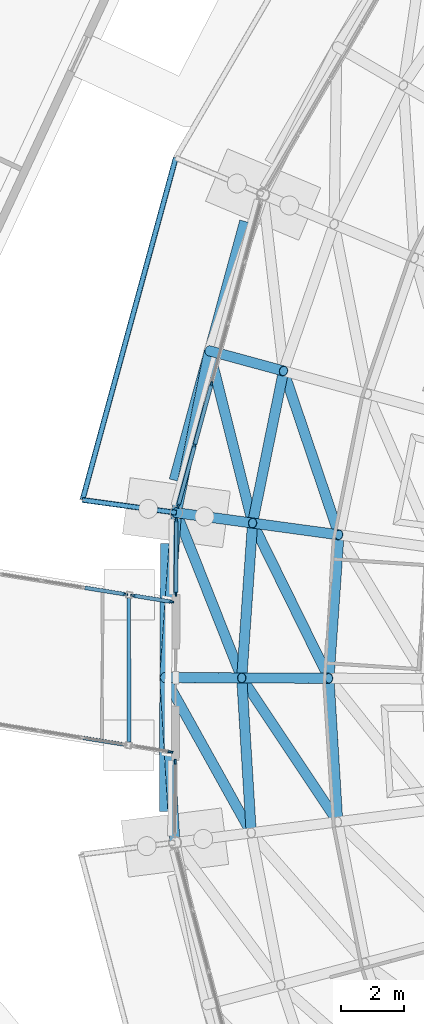
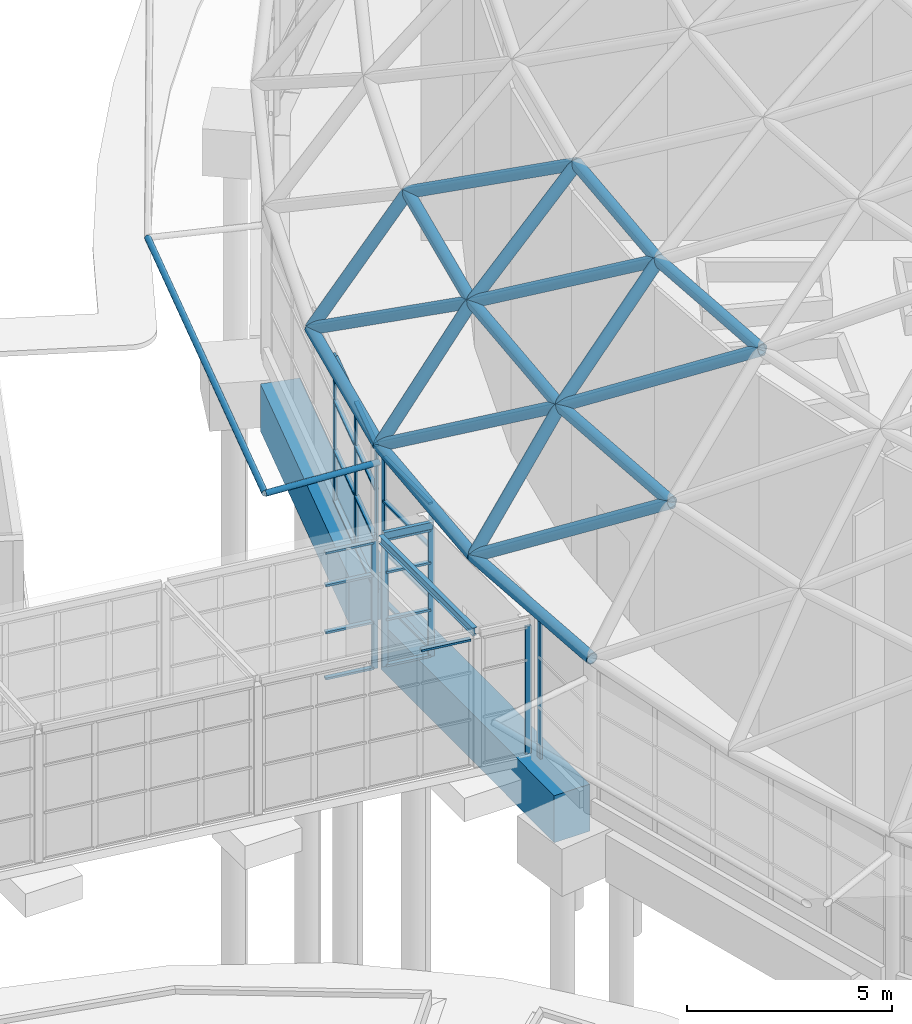
# One storey, part 82 of 226: 52 members, 4 beams, 7 elements without a shape of their own.
"""IFC4 building model written with IfcOpenShell, lengths in metres."""

import ifcopenshell
import ifcopenshell.guid

model = None  # the IFC model being written
_history = None  # IfcOwnerHistory: only IFC2X3 demands one
_inside = {}  # id of a spatial element -> (the spatial element, [elements in it])
_under = {}  # id of a project, library or spatial element -> (it, [spatial elements below it])
_declared = {}  # id of a project -> (the project, [libraries it declares])
_typed = {}  # id of a type object -> (the type object, [elements of that type])
_made_of = {}  # id of a material, layer set ... -> (it, [elements and type objects made of it])


def new_model(schema):
    """Start an empty IFC model of exactly this schema.

    Asked for "IFC4X3", IfcOpenShell would pick the latest addendum, in which some entities
    have other attributes; the version numbers below select the first issue.
    IFC2X3 requires an IfcOwnerHistory on every rooted entity: one is made here for all.
    """
    global model, _history
    if schema == "IFC4X3":
        model = ifcopenshell.file(schema_version=(4, 3, 0, 0))
    else:
        model = ifcopenshell.file(schema=schema)
    _inside.clear()
    _under.clear()
    _declared.clear()
    _typed.clear()
    _made_of.clear()
    _history = None
    if model.schema == "IFC2X3":
        org = make("IfcOrganization", Name="unknown")
        user = make(
            "IfcPersonAndOrganization",
            ThePerson=make("IfcPerson", FamilyName="unknown"),
            TheOrganization=org,
        )
        app = make(
            "IfcApplication",
            ApplicationDeveloper=org,
            Version="unknown",
            ApplicationFullName="unknown",
            ApplicationIdentifier="unknown",
        )
        _history = make(
            "IfcOwnerHistory",
            OwningUser=user,
            OwningApplication=app,
            ChangeAction="ADDED",
            CreationDate=0,
        )
    return model


def make(cls, **values):
    """One entity of the class cls with the attributes given. An attribute that is None is left unset."""
    return model.create_entity(
        cls, **{name: value for name, value in values.items() if value is not None}
    )


def rooted(cls, **values):
    """An entity with a GlobalId (a new one), such as an element, a storey or a relation."""
    return make(cls, GlobalId=ifcopenshell.guid.new(), OwnerHistory=_history, **values)


def si_unit(unit_type, name, prefix=None):
    """IfcSIUnit, for example si_unit("LENGTHUNIT", "METRE", prefix="MILLI")."""
    return make("IfcSIUnit", UnitType=unit_type, Prefix=prefix, Name=name)


def assignment(units):
    """IfcUnitAssignment: the units of a project."""
    return None if units is None else make("IfcUnitAssignment", Units=units)


def point(xyz):
    """IfcCartesianPoint."""
    return None if xyz is None else make("IfcCartesianPoint", Coordinates=xyz)


def direction(xyz):
    """IfcDirection."""
    return None if xyz is None else make("IfcDirection", DirectionRatios=xyz)


def frame(location, z_axis=None, x_axis=None):
    """IfcAxis2Placement3D, a coordinate frame: its origin and axes. An axis left out is left unset."""
    return make(
        "IfcAxis2Placement3D",
        Location=point(location),
        Axis=direction(z_axis),
        RefDirection=direction(x_axis),
    )


def frame_2d(location, x_axis=None):
    """IfcAxis2Placement2D, a coordinate frame in the plane: its origin and x axis."""
    return make(
        "IfcAxis2Placement2D", Location=point(location), RefDirection=direction(x_axis)
    )


def origin():
    """The frame at (0, 0, 0) with its axes left unset."""
    return frame((0.0, 0.0, 0.0))


def origin_2d():
    """The frame at (0, 0) in the plane with its x axis left unset."""
    return frame_2d((0.0, 0.0))


def place(relative_to, where):
    """IfcLocalPlacement: puts the frame where relative to a parent placement (None: the world)."""
    return make(
        "IfcLocalPlacement", PlacementRelTo=relative_to, RelativePlacement=where
    )


def context(
    kind, dimensions, precision=None, world=None, true_north=None, identifier=None
):
    """IfcGeometricRepresentationContext, for example the 3D "Model" context."""
    return make(
        "IfcGeometricRepresentationContext",
        ContextIdentifier=identifier,
        ContextType=kind,
        CoordinateSpaceDimension=dimensions,
        Precision=precision,
        WorldCoordinateSystem=world,
        TrueNorth=true_north,
    )


def subcontext(parent, identifier, kind, view, scale=None):
    """IfcGeometricRepresentationSubContext, for example "Body" below "Model"."""
    return make(
        "IfcGeometricRepresentationSubContext",
        ContextIdentifier=identifier,
        ContextType=kind,
        ParentContext=parent,
        TargetScale=scale,
        TargetView=view,
    )


def project(units=None, contexts=None):
    """IfcProject with its units and contexts."""
    return rooted(
        "IfcProject",
        Name="project",
        RepresentationContexts=contexts,
        UnitsInContext=assignment(units),
    )


def spatial(cls, under=None, at=None, **own):
    """A site, building, storey or space (cls), placed at a placement, below another one or the project."""
    s = rooted(cls, ObjectPlacement=at, **own)
    if under is not None:
        _under.setdefault(under.id(), (under, []))[1].append(s)
    return s


def profile(cls, at=None, kind="AREA", **sizes):
    """A parametric profile (cls). Its sizes go by their IFC names, for example OverallWidth=200.0."""
    return make(cls, ProfileType=kind, Position=at, **sizes)


def rectangle(**sizes):
    """IfcRectangleProfileDef."""
    return profile("IfcRectangleProfileDef", **sizes)


def hollow_rectangle(**sizes):
    """IfcRectangleHollowProfileDef."""
    return profile("IfcRectangleHollowProfileDef", **sizes)


def hollow_circle(**sizes):
    """IfcCircleHollowProfileDef."""
    return profile("IfcCircleHollowProfileDef", **sizes)


def i_section(**sizes):
    """IfcIShapeProfileDef."""
    return profile("IfcIShapeProfileDef", **sizes)


def extrude(swept, where, along, depth):
    """IfcExtrudedAreaSolid: the profile swept, set in the frame where, extruded along a direction by depth."""
    return make(
        "IfcExtrudedAreaSolid",
        SweptArea=swept,
        Position=where,
        ExtrudedDirection=direction(along),
        Depth=depth,
    )


def shape(context_of_items, identifier, shape_type, items):
    """IfcShapeRepresentation: the items that make up one representation, for example the "Body"."""
    return make(
        "IfcShapeRepresentation",
        ContextOfItems=context_of_items,
        RepresentationIdentifier=identifier,
        RepresentationType=shape_type,
        Items=items,
    )


def material(Name=None, Category=None):
    """IfcMaterial."""
    return make("IfcMaterial", Name=Name, Category=Category)


def material_profile(
    of_material, cross_section, Name=None, Category=None, Priority=None
):
    """IfcMaterialProfile: a cross section and its material."""
    return make(
        "IfcMaterialProfile",
        Name=Name,
        Material=of_material,
        Profile=cross_section,
        Priority=Priority,
        Category=Category,
    )


def profile_set(profiles, Name=None, composite=None):
    """IfcMaterialProfileSet."""
    return make(
        "IfcMaterialProfileSet",
        Name=Name,
        MaterialProfiles=profiles,
        CompositeProfile=composite,
    )


def made_of(thing, what):
    """Note that an element or type object is made of a material, layer set ...; save() writes the relation."""
    if what is not None:
        _made_of.setdefault(what.id(), (what, []))[1].append(thing)
    return thing


def type_object(cls, material=None, **own):
    """A type object (cls), such as IfcWallType, which elements share."""
    return made_of(rooted(cls, **own), material)


def element(
    cls,
    number,
    at=None,
    inside=None,
    cuts=None,
    type_object=None,
    material=None,
    context=None,
    identifier="Body",
    shape_type=None,
    held_by="IfcProductDefinitionShape",
    body=None,
    shapes=None,
    **own,
):
    """One element of the class cls, such as IfcWall. Its Tag is "e" and its number.

    at: its placement. inside: the storey or other place that contains it. cuts: it is an
    opening in that element (IfcRelVoidsElement). A single representation is given by context,
    identifier, shape_type and body (its items); several are given by shapes. held_by: the class
    of the entity that holds the representations. save() writes the other relations.
    """
    e = rooted(cls, Tag="e%d" % number, ObjectPlacement=at, **own)
    if body is not None:
        shapes = [shape(context, identifier, shape_type, body)]
    if shapes is not None:
        e.Representation = make(held_by, Representations=shapes)
    if inside is not None:
        _inside.setdefault(inside.id(), (inside, []))[1].append(e)
    if cuts is not None:
        rooted(
            "IfcRelVoidsElement", RelatingBuildingElement=cuts, RelatedOpeningElement=e
        )
    if type_object is not None:
        _typed.setdefault(type_object.id(), (type_object, []))[1].append(e)
    return made_of(e, material)


def aggregate(whole, parts):
    """IfcRelAggregates: a whole, such as a stair, and the parts it consists of."""
    return rooted("IfcRelAggregates", RelatingObject=whole, RelatedObjects=parts)


def save(model, path):
    """Write the relations noted so far, then the file.

    IfcRelAggregates (storeys below a building ...), IfcRelContainedInSpatialStructure (elements
    in a storey), IfcRelDefinesByType, IfcRelAssociatesMaterial and IfcRelDeclares: one each for
    every whole, place, type object, material and project.
    """
    for whole, parts in _under.values():
        aggregate(whole, parts)
    for where, things in _inside.values():
        rooted(
            "IfcRelContainedInSpatialStructure",
            RelatedElements=things,
            RelatingStructure=where,
        )
    for kind, things in _typed.values():
        rooted("IfcRelDefinesByType", RelatedObjects=things, RelatingType=kind)
    for what, things in _made_of.values():
        rooted("IfcRelAssociatesMaterial", RelatedObjects=things, RelatingMaterial=what)
    for by, libraries in _declared.values():
        rooted("IfcRelDeclares", RelatingContext=by, RelatedDefinitions=libraries)
    model.write(path)


model = new_model("IFC4")

# Units and contexts
model_context = context("Model", 3, precision=1e-05, world=origin(), true_north=direction((0.0, 1.0)))
body_context = subcontext(model_context, "Body", "Model", "MODEL_VIEW")
ifc_project = project(units=[si_unit("LENGTHUNIT", "METRE"), si_unit("AREAUNIT", "SQUARE_METRE"), si_unit("VOLUMEUNIT", "CUBIC_METRE"), si_unit("PLANEANGLEUNIT", "RADIAN"), si_unit("MASSUNIT", "GRAM", prefix="KILO")], contexts=[model_context])

# Site, building, storey
site_placement = place(None, origin())
site = spatial("IfcSite", under=ifc_project, at=site_placement, CompositionType="ELEMENT")
building_placement = place(site_placement, origin())
building = spatial("IfcBuilding", under=site, at=building_placement, Name="Ceibo Conservatory and Research Tower", CompositionType="ELEMENT")
storey_placement = place(building_placement, origin())
storey = spatial("IfcBuildingStorey", under=building, at=storey_placement, Name="L00", CompositionType="ELEMENT", Elevation=0.0)

# Members
ifc_material_1 = material(Name="Steel ASTM A500 Gr C", Category="steel")
ifc_material_profile_1 = material_profile(ifc_material_1, hollow_circle(Radius=0.084228515625, WallThickness=0.007080078125, at=origin_2d()), Name="CHS 168.3x7.11")
ifc_profile_set_1 = profile_set([ifc_material_profile_1], Name="Steel ASTM A500 Gr C")
member_type_1 = type_object("IfcMemberType", Name="CHS 168.3x7.11", PredefinedType="NOTDEFINED", material=ifc_profile_set_1)
member_1_placement = place(storey_placement, frame((116.365478515625, 113.39404296875, 4.0), z_axis=(-0.98984311441, 0.13470516102, -0.045443684375), x_axis=(-0.134844468553, -0.990866776767, 0.0)))
element("IfcMember", 1, at=member_1_placement, inside=storey, type_object=member_type_1, Name="Brim brace bracket A-BK12", PredefinedType="BRACE", context=body_context, shape_type="SweptSolid", body=[
    extrude(hollow_circle(Radius=0.084228515625, WallThickness=0.007080078125, at=origin_2d()), origin(), (0.0, 0.0, 1.0), 3.003173828125),
])
member_2_placement = place(storey_placement, frame((116.345458984375, 124.628662109375, 3.863525390625), z_axis=(-0.263032750868, -0.964786904954, 0.0), x_axis=(0.964786904954, -0.263032750868, 0.0)))
element("IfcMember", 2, at=member_2_placement, inside=storey, type_object=member_type_1, Name="Brim tip ring A-TR15", PredefinedType="CHORD", context=body_context, shape_type="SweptSolid", body=[
    extrude(hollow_circle(Radius=0.084228515625, WallThickness=0.007080078125, at=origin_2d()), origin(), (0.0, 0.0, 1.0), 11.225341796875),
])
ifc_material_profile_2 = material_profile(ifc_material_1, hollow_circle(Radius=0.161865234375, WallThickness=0.01025390625, at=origin_2d()), Name="CHS 323.9x10.31")
ifc_profile_set_2 = profile_set([ifc_material_profile_2], Name="Steel ASTM A500 Gr C")
member_type_2 = type_object("IfcMemberType", Name="CHS 323.9x10.31", PredefinedType="NOTDEFINED", material=ifc_profile_set_2)
for number, where, z_axis, x_axis, name in (
    (3, (119.758056640625, 117.881103515625, 8.115966796875), (-0.199430446925, -0.979911984231, 0.0), (0.979911984231, -0.199430446925, 0.0), "Gridshell member A-C02-22"),
    (4, (118.778076171875, 113.06591796875, 8.115966796875), (-0.069806384365, -0.997560558915, 0.0), (0.997560558915, -0.069806384365, 0.0), "Gridshell member A-C02-23"),
):
    element("IfcMember", number, at=place(storey_placement, frame(where, z_axis=z_axis, x_axis=x_axis)), inside=storey, type_object=member_type_2, Name=name, PredefinedType="CHORD", context=body_context, shape_type="SweptSolid", body=[
        extrude(hollow_circle(Radius=0.161865234375, WallThickness=0.01025390625, at=origin_2d()), origin(), (0.0, 0.0, 1.0), 4.913818359375),
    ])
member_3_placement = place(storey_placement, frame((118.43505859375, 108.1640625, 8.115966796875), z_axis=(0.061057537745, -0.998134248027, 0.0), x_axis=(0.998134248027, 0.061057537745, 0.0)))
element("IfcMember", 5, at=member_3_placement, inside=storey, type_object=member_type_2, Name="Gridshell member A-C02-24", PredefinedType="CHORD", context=body_context, shape_type="SweptSolid", body=[
    extrude(hollow_circle(Radius=0.161865234375, WallThickness=0.01025390625, at=origin_2d()), origin(), (0.0, 0.0, 1.0), 4.914306640625),
])
member_4_placement = place(storey_placement, frame((121.512939453125, 112.693115234375, 11.489013671875), z_axis=(-0.0698291277, -0.997558967142, 0.0), x_axis=(0.997558967142, -0.0698291277, 0.0)))
element("IfcMember", 6, at=member_4_placement, inside=storey, type_object=member_type_2, Name="Gridshell member A-C03-23", PredefinedType="CHORD", context=body_context, shape_type="SweptSolid", body=[
    extrude(hollow_circle(Radius=0.161865234375, WallThickness=0.01025390625, at=origin_2d()), origin(), (0.0, 0.0, 1.0), 4.55224609375),
])
member_5_placement = place(storey_placement, frame((121.195068359375, 108.152099609375, 11.489013671875), z_axis=(0.061026108718, -0.998136170096, 0.0), x_axis=(0.998136170096, 0.061026108718, 0.0)))
element("IfcMember", 7, at=member_5_placement, inside=storey, type_object=member_type_2, Name="Gridshell member A-C03-24", PredefinedType="CHORD", context=body_context, shape_type="SweptSolid", body=[
    extrude(hollow_circle(Radius=0.161865234375, WallThickness=0.01025390625, at=origin_2d()), origin(), (0.0, 0.0, 1.0), 4.552734375),
])
ifc_material_profile_3 = material_profile(ifc_material_1, hollow_circle(Radius=0.161865234375, WallThickness=0.01416015625, at=origin_2d()), Name="CHS 323.9x14.27")
ifc_profile_set_3 = profile_set([ifc_material_profile_3], Name="Steel ASTM A500 Gr C")
member_type_3 = type_object("IfcMemberType", Name="CHS 323.9x14.27", PredefinedType="NOTDEFINED", material=ifc_profile_set_3)
member_6_placement = place(storey_placement, frame((117.408935546875, 118.52099609375, 4.5), z_axis=(0.538882113124, -0.146789650644, 0.829493138379), x_axis=(0.262820425453, 0.964844766771, 0.0)))
element("IfcMember", 8, at=member_6_placement, inside=storey, type_object=member_type_3, Name="Gridshell member A-M22-01", PredefinedType="RAFTER", context=body_context, shape_type="SweptSolid", body=[
    extrude(hollow_circle(Radius=0.161865234375, WallThickness=0.01416015625, at=origin_2d()), origin(), (0.0, 0.0, 1.0), 4.359130859375),
])
member_7_placement = place(storey_placement, frame((116.364990234375, 113.39404296875, 4.5), z_axis=(0.553514448025, -0.075265420695, 0.829431656181), x_axis=(0.134737406104, 0.990881340725, 0.0)))
element("IfcMember", 9, at=member_7_placement, inside=storey, type_object=member_type_3, Name="Gridshell member A-M23-01", PredefinedType="RAFTER", context=body_context, shape_type="SweptSolid", body=[
    extrude(hollow_circle(Radius=0.161865234375, WallThickness=0.01416015625, at=origin_2d()), origin(), (0.0, 0.0, 1.0), 4.359619140625),
])
member_8_placement = place(storey_placement, frame((116.0, 108.175048828125, 4.5), z_axis=(0.558569512856, -0.002520115107, 0.829453885594), x_axis=(0.00451168458, 0.999989822299, 0.0)))
element("IfcMember", 10, at=member_8_placement, inside=storey, type_object=member_type_3, Name="Gridshell member A-M24-01", PredefinedType="RAFTER", context=body_context, shape_type="SweptSolid", body=[
    extrude(hollow_circle(Radius=0.161865234375, WallThickness=0.01416015625, at=origin_2d()), origin(), (0.0, 0.0, 1.0), 4.359375),
])
for number, where, z_axis, x_axis, name in (
    (11, (118.778076171875, 113.06591796875, 8.115966796875), (0.627488302576, -0.085536032676, 0.773913442992), (0.13506583893, 0.990836625864, 0.0), "Gridshell member A-M23-02"),
    (12, (118.43505859375, 108.1640625, 8.115966796875), (0.633268958808, -0.002744819017, 0.773926929225), (0.004334324611, 0.999990606771, 0.0), "Gridshell member A-M24-02"),
):
    element("IfcMember", number, at=place(storey_placement, frame(where, z_axis=z_axis, x_axis=x_axis)), inside=storey, type_object=member_type_3, Name=name, PredefinedType="RAFTER", context=body_context, shape_type="SweptSolid", body=[
        extrude(hollow_circle(Radius=0.161865234375, WallThickness=0.01416015625, at=origin_2d()), origin(), (0.0, 0.0, 1.0), 4.3583984375),
    ])
ifc_material_2 = material(Name="Steel S355J2H", Category="steel")
ifc_material_profile_4 = material_profile(ifc_material_2, hollow_circle(Radius=0.161865234375, WallThickness=0.025390625, at=origin_2d()), Name="CHS 323.9x25.40")
ifc_profile_set_4 = profile_set([ifc_material_profile_4], Name="Steel S355J2H")
member_type_4 = type_object("IfcMemberType", Name="CHS 323.9x25.40", PredefinedType="NOTDEFINED", material=ifc_profile_set_4)
member_9_placement = place(storey_placement, frame((117.408935546875, 118.52099609375, 4.5), z_axis=(-0.199524832644, -0.979892770235, 0.0), x_axis=(0.979892770235, -0.199524832644, 0.0)))
element("IfcMember", 13, at=member_9_placement, inside=storey, type_object=member_type_4, Name="Gridshell member A-C01-22", PredefinedType="CHORD", context=body_context, shape_type="SweptSolid", body=[
    extrude(hollow_circle(Radius=0.161865234375, WallThickness=0.025390625, at=origin_2d()), origin(), (0.0, 0.0, 1.0), 5.232177734375),
])
member_10_placement = place(storey_placement, frame((116.364990234375, 113.39404296875, 4.5), z_axis=(-0.069764579115, -0.997563483444, 0.0), x_axis=(0.997563483444, -0.069764579115, 0.0)))
element("IfcMember", 14, at=member_10_placement, inside=storey, type_object=member_type_4, Name="Gridshell member A-C01-23", PredefinedType="CHORD", context=body_context, shape_type="SweptSolid", body=[
    extrude(hollow_circle(Radius=0.161865234375, WallThickness=0.025390625, at=origin_2d()), origin(), (0.0, 0.0, 1.0), 5.231689453125),
])
member_11_placement = place(storey_placement, frame((116.0, 108.175048828125, 4.5), z_axis=(0.06116413215, -0.998127721756, 0.0), x_axis=(0.998127721756, 0.06116413215, 0.0)))
element("IfcMember", 15, at=member_11_placement, inside=storey, type_object=member_type_4, Name="Gridshell member A-C01-24", PredefinedType="CHORD", context=body_context, shape_type="SweptSolid", body=[
    extrude(hollow_circle(Radius=0.161865234375, WallThickness=0.025390625, at=origin_2d()), origin(), (0.0, 0.0, 1.0), 5.23291015625),
])
ifc_material_profile_5 = material_profile(ifc_material_1, hollow_circle(Radius=0.161865234375, WallThickness=0.00830078125, at=origin_2d()), Name="CHS 323.9x8.38")
ifc_profile_set_5 = profile_set([ifc_material_profile_5], Name="Steel ASTM A500 Gr C")
member_type_5 = type_object("IfcMemberType", Name="CHS 323.9x8.38", PredefinedType="NOTDEFINED", material=ifc_profile_set_5)
member_12_placement = place(storey_placement, frame((117.408935546875, 118.52099609375, 4.5), z_axis=(0.204765689408, -0.815849601308, 0.540796117301), x_axis=(0.969917381458, 0.243434330255, 0.0)))
element("IfcMember", 16, at=member_12_placement, inside=storey, type_object=member_type_5, Name="Gridshell diagonal member A-D01-22", PredefinedType="BRACE", context=body_context, shape_type="SweptSolid", body=[
    extrude(hollow_circle(Radius=0.161865234375, WallThickness=0.00830078125, at=origin_2d()), origin(), (0.0, 0.0, 1.0), 6.686279296875),
])
member_13_placement = place(storey_placement, frame((116.364990234375, 113.39404296875, 4.5), z_axis=(0.30957602753, -0.782136768693, 0.540763125811), x_axis=(0.929814658591, 0.368028124834, 0.0)))
element("IfcMember", 17, at=member_13_placement, inside=storey, type_object=member_type_5, Name="Gridshell diagonal member A-D01-23", PredefinedType="BRACE", context=body_context, shape_type="SweptSolid", body=[
    extrude(hollow_circle(Radius=0.161865234375, WallThickness=0.00830078125, at=origin_2d()), origin(), (0.0, 0.0, 1.0), 6.686767578125),
])
member_14_placement = place(storey_placement, frame((116.0, 108.175048828125, 4.5), z_axis=(0.408985365174, -0.73510035822, 0.540701798053), x_axis=(0.87385619026, 0.486184490439, 0.0)))
element("IfcMember", 18, at=member_14_placement, inside=storey, type_object=member_type_5, Name="Gridshell diagonal member A-D01-24", PredefinedType="BRACE", context=body_context, shape_type="SweptSolid", body=[
    extrude(hollow_circle(Radius=0.161865234375, WallThickness=0.00830078125, at=origin_2d()), origin(), (0.0, 0.0, 1.0), 6.6875),
])
member_15_placement = place(storey_placement, frame((119.758056640625, 117.881103515625, 8.115966796875), z_axis=(0.272830793397, -0.806574062283, 0.524405987977), x_axis=(0.947274267366, 0.320423879239, 0.0)))
element("IfcMember", 19, at=member_15_placement, inside=storey, type_object=member_type_5, Name="Gridshell diagonal member A-D02-22", PredefinedType="BRACE", context=body_context, shape_type="SweptSolid", body=[
    extrude(hollow_circle(Radius=0.161865234375, WallThickness=0.00830078125, at=origin_2d()), origin(), (0.0, 0.0, 1.0), 6.43212890625),
])
for number, where, z_axis, x_axis, name in (
    (20, (118.778076171875, 113.06591796875, 8.115966796875), (0.375802113996, -0.764017085696, 0.524452727976), (0.897323915141, 0.441372621846, 0.0), "Gridshell diagonal member A-D02-23"),
    (21, (118.43505859375, 108.1640625, 8.115966796875), (0.472336508124, -0.70840986214, 0.524455613295), (0.8320159978, 0.554751637586, 0.0), "Gridshell diagonal member A-D02-24"),
):
    element("IfcMember", number, at=place(storey_placement, frame(where, z_axis=z_axis, x_axis=x_axis)), inside=storey, type_object=member_type_5, Name=name, PredefinedType="BRACE", context=body_context, shape_type="SweptSolid", body=[
        extrude(hollow_circle(Radius=0.161865234375, WallThickness=0.00830078125, at=origin_2d()), origin(), (0.0, 0.0, 1.0), 6.431640625),
    ])

# Curtain wall, members
ifc_material_3 = material(Name="Aluminium and glass", Category="aluminium")
curtain_wall_type_1 = type_object("IfcCurtainWallType", Name="Drum curtain wall", PredefinedType="NOTDEFINED", material=ifc_material_3)
curtain_wall_1_placement = place(storey_placement, origin())
curtain_wall_1 = element("IfcCurtainWall", 22, at=curtain_wall_1_placement, inside=storey, type_object=curtain_wall_type_1, Name="Drum curtain wall A-CW11", PredefinedType="NOTDEFINED")
ifc_material_4 = material(Name="Aluminium", Category="aluminium")
ifc_material_profile_6 = material_profile(ifc_material_4, rectangle(XDim=0.06005859375, YDim=0.159912109375, at=origin_2d()), Name="AL 60x160")
ifc_profile_set_6 = profile_set([ifc_material_profile_6], Name="Aluminium")
member_type_6 = type_object("IfcMemberType", Name="Drum mullion 60x160", PredefinedType="MULLION", material=ifc_profile_set_6)
member_16_placement = place(storey_placement, frame((117.474609375, 117.462890625, 0.0), z_axis=(0.0, 0.0, 1.0), x_axis=(0.964787322837, -0.263031218095, 0.0)))
member_16 = element("IfcMember", 23, at=member_16_placement, type_object=member_type_6, Name="A-CW11 mullion 4", PredefinedType="MULLION", context=body_context, shape_type="SweptSolid", body=[
    extrude(rectangle(XDim=0.06005859375, YDim=0.159912109375, at=origin_2d()), origin(), (0.0, 0.0, 1.0), 4.338134765625),
])
member_17_placement = place(storey_placement, frame((116.94677734375, 115.526611328125, 0.0), z_axis=(0.0, 0.0, 1.0), x_axis=(0.964787322837, -0.263031218095, 0.0)))
member_17 = element("IfcMember", 24, at=member_17_placement, type_object=member_type_6, Name="A-CW11 mullion 5", PredefinedType="MULLION", context=body_context, shape_type="SweptSolid", body=[
    extrude(rectangle(XDim=0.06005859375, YDim=0.159912109375, at=origin_2d()), origin(), (0.0, 0.0, 1.0), 4.338134765625),
])
member_18_placement = place(storey_placement, frame((116.4267578125, 113.619140625, 0.0), z_axis=(0.0, 0.0, 1.0), x_axis=(0.964787322837, -0.263031218095, 0.0)))
member_18 = element("IfcMember", 25, at=member_18_placement, type_object=member_type_6, Name="A-CW11 mullion 6", PredefinedType="MULLION", context=body_context, shape_type="SweptSolid", body=[
    extrude(rectangle(XDim=0.06005859375, YDim=0.159912109375, at=origin_2d()), origin(), (0.0, 0.0, 1.0), 4.338134765625),
])

curtain_wall_2_placement = place(storey_placement, origin())
curtain_wall_2 = element("IfcCurtainWall", 26, at=curtain_wall_2_placement, inside=storey, type_object=curtain_wall_type_1, Name="Drum curtain wall A-CW12W", PredefinedType="NOTDEFINED")
member_19_placement = place(storey_placement, frame((116.3642578125, 113.160888671875, 0.0), z_axis=(0.0, 0.0, 1.0), x_axis=(0.999990480759, -0.004363300488, 0.0)))
member_19 = element("IfcMember", 27, at=member_19_placement, type_object=member_type_6, Name="A-CW12W mullion 1", PredefinedType="MULLION", context=body_context, shape_type="SweptSolid", body=[
    extrude(rectangle(XDim=0.06005859375, YDim=0.159912109375, at=origin_2d()), origin(), (0.0, 0.0, 1.0), 4.338134765625),
])
member_20_placement = place(storey_placement, frame((116.354248046875, 110.831787109375, 0.0), z_axis=(0.0, 0.0, 1.0), x_axis=(0.999990480759, -0.004363300488, 0.0)))
member_20 = element("IfcMember", 28, at=member_20_placement, type_object=member_type_6, Name="A-CW12W mullion 2", PredefinedType="MULLION", context=body_context, shape_type="SweptSolid", body=[
    extrude(rectangle(XDim=0.06005859375, YDim=0.159912109375, at=origin_2d()), origin(), (0.0, 0.0, 1.0), 4.338134765625),
])

# Curtain wall, member
curtain_wall_3_placement = place(storey_placement, origin())
curtain_wall_3 = element("IfcCurtainWall", 29, at=curtain_wall_3_placement, inside=storey, type_object=curtain_wall_type_1, Name="Drum curtain wall A-CW12E", PredefinedType="NOTDEFINED")
member_21_placement = place(storey_placement, frame((116.3310546875, 105.514404296875, 0.0), z_axis=(0.0, 0.0, 1.0), x_axis=(0.999990480759, -0.004363300488, 0.0)))
member_21 = element("IfcMember", 30, at=member_21_placement, type_object=member_type_6, Name="A-CW12E mullion 1", PredefinedType="MULLION", context=body_context, shape_type="SweptSolid", body=[
    extrude(rectangle(XDim=0.06005859375, YDim=0.159912109375, at=origin_2d()), origin(), (0.0, 0.0, 1.0), 4.338134765625),
])
aggregate(curtain_wall_3, [member_21])

# Member
ifc_material_profile_7 = material_profile(ifc_material_4, rectangle(XDim=0.1201171875, YDim=0.06005859375, at=origin_2d()), Name="AL 60x120")
ifc_profile_set_7 = profile_set([ifc_material_profile_7], Name="Aluminium")
member_type_7 = type_object("IfcMemberType", Name="Drum transom 60x120", PredefinedType="USERDEFINED", material=ifc_profile_set_7)
member_22_placement = place(storey_placement, frame((117.466796875, 117.43408203125, 0.030029296875), z_axis=(-0.263043142631, -0.964784071756, 0.0), x_axis=(0.964784071756, -0.263043142631, 0.0)))
member_22 = element("IfcMember", 31, at=member_22_placement, type_object=member_type_7, Name="A-CW11 transom 4.1", ObjectType="TRANSOM", PredefinedType="USERDEFINED", context=body_context, shape_type="SweptSolid", body=[
    extrude(rectangle(XDim=0.1201171875, YDim=0.06005859375, at=origin_2d()), origin(), (0.0, 0.0, 1.0), 1.947265625),
])

member_23_placement = place(storey_placement, frame((117.466796875, 117.43408203125, 1.530029296875), z_axis=(-0.263043142631, -0.964784071756, 0.0), x_axis=(0.964784071756, -0.263043142631, 0.0)))
member_23 = element("IfcMember", 32, at=member_23_placement, type_object=member_type_7, Name="A-CW11 transom 4.2", ObjectType="TRANSOM", PredefinedType="USERDEFINED", context=body_context, shape_type="SweptSolid", body=[
    extrude(rectangle(XDim=0.1201171875, YDim=0.06005859375, at=origin_2d()), origin(), (0.0, 0.0, 1.0), 1.947265625),
])

member_24_placement = place(storey_placement, frame((117.466796875, 117.43408203125, 3.014892578125), z_axis=(-0.263043142631, -0.964784071756, 0.0), x_axis=(0.964784071756, -0.263043142631, 0.0)))
member_24 = element("IfcMember", 33, at=member_24_placement, type_object=member_type_7, Name="A-CW11 transom 4.3", ObjectType="TRANSOM", PredefinedType="USERDEFINED", context=body_context, shape_type="SweptSolid", body=[
    extrude(rectangle(XDim=0.1201171875, YDim=0.06005859375, at=origin_2d()), origin(), (0.0, 0.0, 1.0), 1.947265625),
])

member_25_placement = place(storey_placement, frame((117.466796875, 117.43408203125, 4.30810546875), z_axis=(-0.263043142631, -0.964784071756, 0.0), x_axis=(0.964784071756, -0.263043142631, 0.0)))
member_25 = element("IfcMember", 34, at=member_25_placement, type_object=member_type_7, Name="A-CW11 transom 4.4", ObjectType="TRANSOM", PredefinedType="USERDEFINED", context=body_context, shape_type="SweptSolid", body=[
    extrude(rectangle(XDim=0.1201171875, YDim=0.06005859375, at=origin_2d()), origin(), (0.0, 0.0, 1.0), 1.947265625),
])

member_26_placement = place(storey_placement, frame((116.93896484375, 115.49755859375, 0.030029296875), z_axis=(-0.263095854945, -0.964769698483, 0.0), x_axis=(0.964769698483, -0.263095854945, 0.0)))
member_26 = element("IfcMember", 35, at=member_26_placement, type_object=member_type_7, Name="A-CW11 transom 5.1", ObjectType="TRANSOM", PredefinedType="USERDEFINED", context=body_context, shape_type="SweptSolid", body=[
    extrude(rectangle(XDim=0.1201171875, YDim=0.06005859375, at=origin_2d()), origin(), (0.0, 0.0, 1.0), 1.917236328125),
])

member_27_placement = place(storey_placement, frame((116.93896484375, 115.49755859375, 1.530029296875), z_axis=(-0.263095854945, -0.964769698483, 0.0), x_axis=(0.964769698483, -0.263095854945, 0.0)))
member_27 = element("IfcMember", 36, at=member_27_placement, type_object=member_type_7, Name="A-CW11 transom 5.2", ObjectType="TRANSOM", PredefinedType="USERDEFINED", context=body_context, shape_type="SweptSolid", body=[
    extrude(rectangle(XDim=0.1201171875, YDim=0.06005859375, at=origin_2d()), origin(), (0.0, 0.0, 1.0), 1.917236328125),
])

member_28_placement = place(storey_placement, frame((116.93896484375, 115.49755859375, 3.014892578125), z_axis=(-0.263095854945, -0.964769698483, 0.0), x_axis=(0.964769698483, -0.263095854945, 0.0)))
member_28 = element("IfcMember", 37, at=member_28_placement, type_object=member_type_7, Name="A-CW11 transom 5.3", ObjectType="TRANSOM", PredefinedType="USERDEFINED", context=body_context, shape_type="SweptSolid", body=[
    extrude(rectangle(XDim=0.1201171875, YDim=0.06005859375, at=origin_2d()), origin(), (0.0, 0.0, 1.0), 1.917236328125),
])

member_29_placement = place(storey_placement, frame((116.93896484375, 115.49755859375, 4.30810546875), z_axis=(-0.263095854945, -0.964769698483, 0.0), x_axis=(0.964769698483, -0.263095854945, 0.0)))
member_29 = element("IfcMember", 38, at=member_29_placement, type_object=member_type_7, Name="A-CW11 transom 5.4", ObjectType="TRANSOM", PredefinedType="USERDEFINED", context=body_context, shape_type="SweptSolid", body=[
    extrude(rectangle(XDim=0.1201171875, YDim=0.06005859375, at=origin_2d()), origin(), (0.0, 0.0, 1.0), 1.917236328125),
])

aggregate(curtain_wall_1, [member_16, member_17, member_18, member_22, member_23, member_24, member_25, member_26, member_27, member_28, member_29])

member_30_placement = place(storey_placement, frame((116.3642578125, 113.130859375, 0.030029296875), z_axis=(-0.004411405321, -0.999990269704, 0.0), x_axis=(0.999990269704, -0.004411405321, 0.0)))
member_30 = element("IfcMember", 39, at=member_30_placement, type_object=member_type_7, Name="A-CW12W transom 1.1", ObjectType="TRANSOM", PredefinedType="USERDEFINED", context=body_context, shape_type="SweptSolid", body=[
    extrude(rectangle(XDim=0.1201171875, YDim=0.06005859375, at=origin_2d()), origin(), (0.0, 0.0, 1.0), 2.26904296875),
])

member_31_placement = place(storey_placement, frame((116.3642578125, 113.130859375, 1.530029296875), z_axis=(-0.004411405321, -0.999990269704, 0.0), x_axis=(0.999990269704, -0.004411405321, 0.0)))
member_31 = element("IfcMember", 40, at=member_31_placement, type_object=member_type_7, Name="A-CW12W transom 1.2", ObjectType="TRANSOM", PredefinedType="USERDEFINED", context=body_context, shape_type="SweptSolid", body=[
    extrude(rectangle(XDim=0.1201171875, YDim=0.06005859375, at=origin_2d()), origin(), (0.0, 0.0, 1.0), 2.26904296875),
])

member_32_placement = place(storey_placement, frame((116.3642578125, 113.130859375, 3.014892578125), z_axis=(-0.004411405321, -0.999990269704, 0.0), x_axis=(0.999990269704, -0.004411405321, 0.0)))
member_32 = element("IfcMember", 41, at=member_32_placement, type_object=member_type_7, Name="A-CW12W transom 1.3", ObjectType="TRANSOM", PredefinedType="USERDEFINED", context=body_context, shape_type="SweptSolid", body=[
    extrude(rectangle(XDim=0.1201171875, YDim=0.06005859375, at=origin_2d()), origin(), (0.0, 0.0, 1.0), 2.26904296875),
])

member_33_placement = place(storey_placement, frame((116.3642578125, 113.130859375, 4.30810546875), z_axis=(-0.004411405321, -0.999990269704, 0.0), x_axis=(0.999990269704, -0.004411405321, 0.0)))
member_33 = element("IfcMember", 42, at=member_33_placement, type_object=member_type_7, Name="A-CW12W transom 1.4", ObjectType="TRANSOM", PredefinedType="USERDEFINED", context=body_context, shape_type="SweptSolid", body=[
    extrude(rectangle(XDim=0.1201171875, YDim=0.06005859375, at=origin_2d()), origin(), (0.0, 0.0, 1.0), 2.26904296875),
])

aggregate(curtain_wall_2, [member_19, member_20, member_30, member_31, member_32, member_33])

# Curtain wall, member
curtain_wall_type_2 = type_object("IfcCurtainWallType", Name="Gallery curtain wall", PredefinedType="NOTDEFINED", material=ifc_material_3)
curtain_wall_4_placement = place(storey_placement, origin())
curtain_wall_4 = element("IfcCurtainWall", 43, at=curtain_wall_4_placement, inside=storey, type_object=curtain_wall_type_2, Name="Gallery curtain wall A-RT-CWN01", PredefinedType="NOTDEFINED")
ifc_material_profile_8 = material_profile(ifc_material_4, rectangle(XDim=0.06005859375, YDim=0.159912109375, at=origin_2d()), Name="AL 60x160")
ifc_profile_set_8 = profile_set([ifc_material_profile_8], Name="Aluminium")
member_type_8 = type_object("IfcMemberType", Name="Gallery mullion 60x160", PredefinedType="MULLION", material=ifc_profile_set_8)
member_34_placement = place(storey_placement, frame((116.177734375, 105.8193359375, 0.0), z_axis=(0.0, 0.0, 1.0), x_axis=(-0.159391110254, -0.987215515464, 0.0)))
member_34 = element("IfcMember", 44, at=member_34_placement, type_object=member_type_8, Name="A-RT-CWN01 mullion 1", PredefinedType="MULLION", context=body_context, shape_type="SweptSolid", body=[
    extrude(rectangle(XDim=0.06005859375, YDim=0.159912109375, at=origin_2d()), origin(), (0.0, 0.0, 1.0), 3.800048828125),
])
aggregate(curtain_wall_4, [member_34])

# Curtain wall, members
curtain_wall_5_placement = place(storey_placement, origin())
curtain_wall_5 = element("IfcCurtainWall", 45, at=curtain_wall_5_placement, inside=storey, type_object=curtain_wall_type_2, Name="Gallery curtain wall A-RT-CWS01", PredefinedType="NOTDEFINED")
member_35_placement = place(storey_placement, frame((116.198486328125, 110.57666015625, 0.0), z_axis=(0.0, 0.0, 1.0), x_axis=(-0.159391110254, -0.987215515464, 0.0)))
member_35 = element("IfcMember", 46, at=member_35_placement, type_object=member_type_8, Name="A-RT-CWS01 mullion 1", PredefinedType="MULLION", context=body_context, shape_type="SweptSolid", body=[
    extrude(rectangle(XDim=0.06005859375, YDim=0.159912109375, at=origin_2d()), origin(), (0.0, 0.0, 1.0), 3.800048828125),
])
member_36_placement = place(storey_placement, frame((115.00048828125, 110.770263671875, 0.0), z_axis=(0.0, 0.0, 1.0), x_axis=(-0.159391110254, -0.987215515464, 0.0)))
member_36 = element("IfcMember", 47, at=member_36_placement, type_object=member_type_8, Name="A-RT-CWS01 mullion 2", PredefinedType="MULLION", context=body_context, shape_type="SweptSolid", body=[
    extrude(rectangle(XDim=0.06005859375, YDim=0.159912109375, at=origin_2d()), origin(), (0.0, 0.0, 1.0), 3.800048828125),
])

# Curtain wall, member
curtain_wall_6_placement = place(storey_placement, origin())
curtain_wall_6 = element("IfcCurtainWall", 48, at=curtain_wall_6_placement, inside=storey, type_object=curtain_wall_type_2, Name="Gallery curtain wall A-RT-CWS02", PredefinedType="NOTDEFINED")
member_37_placement = place(storey_placement, frame((114.743896484375, 110.8115234375, 0.0), z_axis=(0.0, 0.0, 1.0), x_axis=(-0.159391110254, -0.987215515464, 0.0)))
member_37 = element("IfcMember", 49, at=member_37_placement, type_object=member_type_8, Name="A-RT-CWS02 mullion 1", PredefinedType="MULLION", context=body_context, shape_type="SweptSolid", body=[
    extrude(rectangle(XDim=0.06005859375, YDim=0.159912109375, at=origin_2d()), origin(), (0.0, 0.0, 1.0), 3.800048828125),
])

curtain_wall_7_placement = place(storey_placement, origin())
curtain_wall_7 = element("IfcCurtainWall", 50, at=curtain_wall_7_placement, inside=storey, type_object=curtain_wall_type_2, Name="Gallery curtain wall A-RT-CWN02", PredefinedType="NOTDEFINED")
ifc_material_profile_9 = material_profile(ifc_material_4, rectangle(XDim=0.1201171875, YDim=0.06005859375, at=origin_2d()), Name="AL 60x120")
ifc_profile_set_9 = profile_set([ifc_material_profile_9], Name="Aluminium")
member_type_9 = type_object("IfcMemberType", Name="Gallery transom 60x120", PredefinedType="USERDEFINED", material=ifc_profile_set_9)
member_38_placement = place(storey_placement, frame((114.693359375, 106.058837890625, 3.77001953125), z_axis=(-0.987210378052, 0.159422926413, 0.0), x_axis=(-0.159422926413, -0.987210378052, 0.0)))
member_38 = element("IfcMember", 51, at=member_38_placement, type_object=member_type_9, Name="A-RT-CWN02 transom 1.4", ObjectType="TRANSOM", PredefinedType="USERDEFINED", context=body_context, shape_type="SweptSolid", body=[
    extrude(rectangle(XDim=0.1201171875, YDim=0.06005859375, at=origin_2d()), origin(), (0.0, 0.0, 1.0), 1.28955078125),
])
aggregate(curtain_wall_7, [member_38])

# Member
member_39_placement = place(storey_placement, frame((116.168701171875, 110.58154296875, 0.030029296875), z_axis=(-0.987216421481, 0.15938549858, 0.0), x_axis=(-0.15938549858, -0.987216421481, 0.0)))
member_39 = element("IfcMember", 52, at=member_39_placement, type_object=member_type_9, Name="A-RT-CWS01 transom 1.1", ObjectType="TRANSOM", PredefinedType="USERDEFINED", context=body_context, shape_type="SweptSolid", body=[
    extrude(rectangle(XDim=0.1201171875, YDim=0.06005859375, at=origin_2d()), origin(), (0.0, 0.0, 1.0), 1.1533203125),
])

member_40_placement = place(storey_placement, frame((116.168701171875, 110.58154296875, 1.39990234375), z_axis=(-0.987216421481, 0.15938549858, 0.0), x_axis=(-0.15938549858, -0.987216421481, 0.0)))
member_40 = element("IfcMember", 53, at=member_40_placement, type_object=member_type_9, Name="A-RT-CWS01 transom 1.2", ObjectType="TRANSOM", PredefinedType="USERDEFINED", context=body_context, shape_type="SweptSolid", body=[
    extrude(rectangle(XDim=0.1201171875, YDim=0.06005859375, at=origin_2d()), origin(), (0.0, 0.0, 1.0), 1.1533203125),
])

member_41_placement = place(storey_placement, frame((116.168701171875, 110.58154296875, 2.800048828125), z_axis=(-0.987216421481, 0.15938549858, 0.0), x_axis=(-0.15938549858, -0.987216421481, 0.0)))
member_41 = element("IfcMember", 54, at=member_41_placement, type_object=member_type_9, Name="A-RT-CWS01 transom 1.3", ObjectType="TRANSOM", PredefinedType="USERDEFINED", context=body_context, shape_type="SweptSolid", body=[
    extrude(rectangle(XDim=0.1201171875, YDim=0.06005859375, at=origin_2d()), origin(), (0.0, 0.0, 1.0), 1.1533203125),
])

member_42_placement = place(storey_placement, frame((116.168701171875, 110.58154296875, 3.77001953125), z_axis=(-0.987216421481, 0.15938549858, 0.0), x_axis=(-0.15938549858, -0.987216421481, 0.0)))
member_42 = element("IfcMember", 55, at=member_42_placement, type_object=member_type_9, Name="A-RT-CWS01 transom 1.4", ObjectType="TRANSOM", PredefinedType="USERDEFINED", context=body_context, shape_type="SweptSolid", body=[
    extrude(rectangle(XDim=0.1201171875, YDim=0.06005859375, at=origin_2d()), origin(), (0.0, 0.0, 1.0), 1.1533203125),
])

aggregate(curtain_wall_5, [member_35, member_36, member_39, member_40, member_41, member_42])

member_43_placement = place(storey_placement, frame((114.714111328125, 110.81640625, 0.030029296875), z_axis=(-0.987223442212, 0.159342006852, 0.0), x_axis=(-0.159342006852, -0.987223442212, 0.0)))
member_43 = element("IfcMember", 56, at=member_43_placement, type_object=member_type_9, Name="A-RT-CWS02 transom 1.1", ObjectType="TRANSOM", PredefinedType="USERDEFINED", context=body_context, shape_type="SweptSolid", body=[
    extrude(rectangle(XDim=0.1201171875, YDim=0.06005859375, at=origin_2d()), origin(), (0.0, 0.0, 1.0), 1.260986328125),
])

member_44_placement = place(storey_placement, frame((114.714111328125, 110.81640625, 1.39990234375), z_axis=(-0.987223442212, 0.159342006852, 0.0), x_axis=(-0.159342006852, -0.987223442212, 0.0)))
member_44 = element("IfcMember", 57, at=member_44_placement, type_object=member_type_9, Name="A-RT-CWS02 transom 1.2", ObjectType="TRANSOM", PredefinedType="USERDEFINED", context=body_context, shape_type="SweptSolid", body=[
    extrude(rectangle(XDim=0.1201171875, YDim=0.06005859375, at=origin_2d()), origin(), (0.0, 0.0, 1.0), 1.260986328125),
])

member_45_placement = place(storey_placement, frame((114.714111328125, 110.81640625, 2.800048828125), z_axis=(-0.987223442212, 0.159342006852, 0.0), x_axis=(-0.159342006852, -0.987223442212, 0.0)))
member_45 = element("IfcMember", 58, at=member_45_placement, type_object=member_type_9, Name="A-RT-CWS02 transom 1.3", ObjectType="TRANSOM", PredefinedType="USERDEFINED", context=body_context, shape_type="SweptSolid", body=[
    extrude(rectangle(XDim=0.1201171875, YDim=0.06005859375, at=origin_2d()), origin(), (0.0, 0.0, 1.0), 1.260986328125),
])

member_46_placement = place(storey_placement, frame((114.714111328125, 110.81640625, 3.77001953125), z_axis=(-0.987223442212, 0.159342006852, 0.0), x_axis=(-0.159342006852, -0.987223442212, 0.0)))
member_46 = element("IfcMember", 59, at=member_46_placement, type_object=member_type_9, Name="A-RT-CWS02 transom 1.4", ObjectType="TRANSOM", PredefinedType="USERDEFINED", context=body_context, shape_type="SweptSolid", body=[
    extrude(rectangle(XDim=0.1201171875, YDim=0.06005859375, at=origin_2d()), origin(), (0.0, 0.0, 1.0), 1.260986328125),
])

aggregate(curtain_wall_6, [member_37, member_43, member_44, member_45, member_46])

# Beams
ifc_material_5 = material(Name="Steel S355J2", Category="steel")
ifc_material_profile_10 = material_profile(ifc_material_5, i_section(OverallWidth=0.1201171875, OverallDepth=0.239990234375, WebThickness=0.006103515625, FlangeThickness=0.009765625, at=origin_2d()), Name="IPE 240")
ifc_profile_set_10 = profile_set([ifc_material_profile_10], Name="Steel S355J2")
beam_type_1 = type_object("IfcBeamType", Name="IPE 240 roof beam", PredefinedType="BEAM", material=ifc_profile_set_10)
beam_1_placement = place(storey_placement, frame((114.866455078125, 106.127197265625, 3.8798828125), z_axis=(-0.002083551413, 0.999997829404, 0.0), x_axis=(-0.999997829404, -0.002083551413, 0.0)))
element("IfcBeam", 60, at=beam_1_placement, inside=storey, type_object=beam_type_1, Name="Gallery roof beam A-RT-RB01", PredefinedType="BEAM", context=body_context, shape_type="SweptSolid", body=[
    extrude(i_section(OverallWidth=0.1201171875, OverallDepth=0.239990234375, WebThickness=0.006103515625, FlangeThickness=0.009765625, at=origin_2d()), origin(), (0.0, 0.0, 1.0), 4.56982421875),
])
ifc_material_6 = material(Name="Concrete C35/45", Category="concrete")
ifc_material_profile_11 = material_profile(ifc_material_6, rectangle(XDim=1.0, YDim=1.39990234375, at=origin_2d()), Name="RC 1000x1400")
ifc_profile_set_11 = profile_set([ifc_material_profile_11], Name="Concrete C35/45")
beam_type_2 = type_object("IfcBeamType", Name="RC ring beam 1000x1400", PredefinedType="BEAM", material=ifc_profile_set_11)
for number, where, z_axis, x_axis, name in (
    (61, (118.855712890625, 122.528076171875, -0.699951171875), (-0.263029838659, -0.964787698914, 0.0), (0.964787698914, -0.263029838659, 0.0), "Drum ring beam A-RB11"),
    (62, (116.361083984375, 112.41943359375, -0.699951171875), (-0.004369406647, -0.999990454097, 0.0), (0.999990454097, -0.004369406647, 0.0), "Drum ring beam A-RB12"),
):
    element("IfcBeam", number, at=place(storey_placement, frame(where, z_axis=z_axis, x_axis=x_axis)), inside=storey, type_object=beam_type_2, Name=name, PredefinedType="BEAM", context=body_context, shape_type="SweptSolid", body=[
        extrude(rectangle(XDim=1.0, YDim=1.39990234375, at=origin_2d()), origin(), (0.0, 0.0, 1.0), 8.492919921875),
    ])
ifc_material_profile_12 = material_profile(ifc_material_2, hollow_rectangle(XDim=0.10009765625, YDim=0.199951171875, WallThickness=0.008056640625, at=origin_2d()), Name="RHS 200x100x8 edge beam")
ifc_profile_set_12 = profile_set([ifc_material_profile_12], Name="Steel S355J2H")
beam_type_3 = type_object("IfcBeamType", Name="RHS 200x100x8 edge beam", PredefinedType="BEAM", material=ifc_profile_set_12)
beam_2_placement = place(storey_placement, frame((116.23291015625, 110.571044921875, 3.89990234375), z_axis=(-0.987214098345, 0.15939988717, 0.0), x_axis=(-0.15939988717, -0.987214098345, 0.0)))
element("IfcBeam", 63, at=beam_2_placement, inside=storey, type_object=beam_type_3, Name="Gallery edge beam A-RT-EBS01", PredefinedType="BEAM", context=body_context, shape_type="SweptSolid", body=[
    extrude(hollow_rectangle(XDim=0.10009765625, YDim=0.199951171875, WallThickness=0.008056640625, at=origin_2d()), origin(), (0.0, 0.0, 1.0), 1.283447265625),
])

save(model, "model.ifc")
